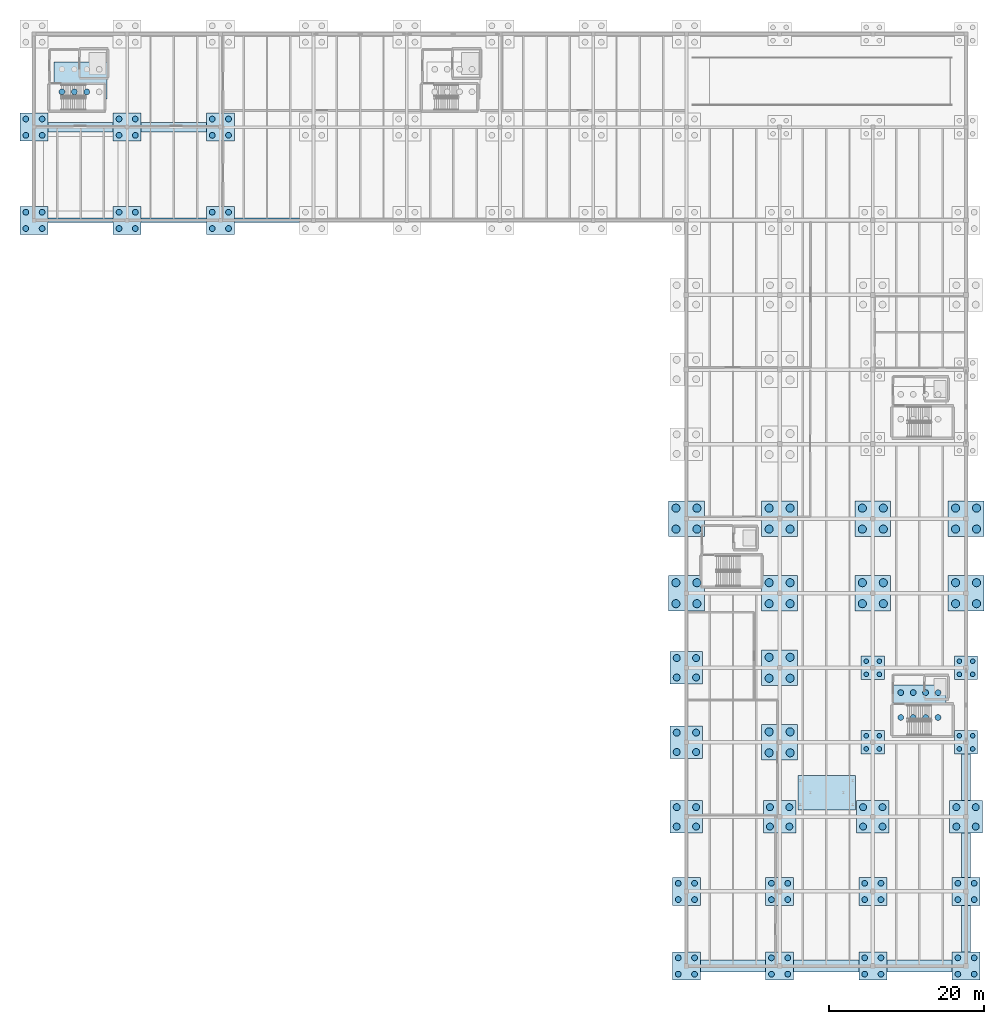
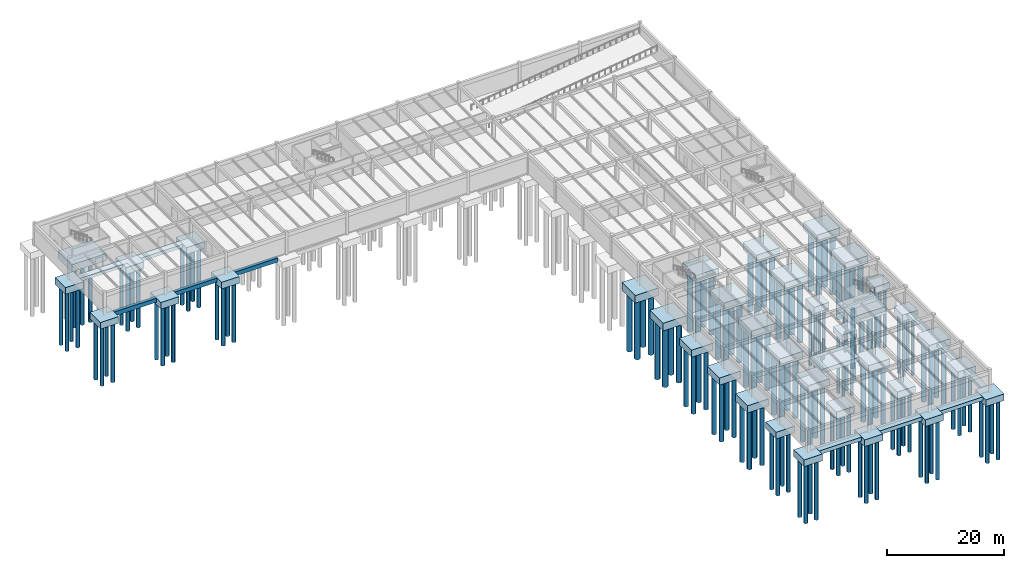
# One storey, part 1 of 20: 147 piles, 48 footings.
"""IFC4 building model written with IfcOpenShell, lengths in metres."""

from ifc_helpers import new_model, si_unit, direction, frame, origin, origin_2d, place, context, subcontext, project, spatial, rectangle, circle, extrude, material, material_profile, profile_set, type_object, element, save


model = new_model("IFC4")

# Units and contexts
model_context = context("Model", 3, precision=1e-05, world=origin(), true_north=direction((0.0, 1.0)))
body_context = subcontext(model_context, "Body", "Model", "MODEL_VIEW")
ifc_project = project(units=[si_unit("LENGTHUNIT", "METRE"), si_unit("AREAUNIT", "SQUARE_METRE"), si_unit("VOLUMEUNIT", "CUBIC_METRE"), si_unit("PLANEANGLEUNIT", "RADIAN"), si_unit("MASSUNIT", "GRAM", prefix="KILO")], contexts=[model_context])

# Site, building, storey
site_placement = place(None, origin())
site = spatial("IfcSite", under=ifc_project, at=site_placement, CompositionType="ELEMENT")
building_placement = place(site_placement, origin())
building = spatial("IfcBuilding", under=site, at=building_placement, Name="Pandanus Reach Market Hall", CompositionType="ELEMENT")
storey_placement = place(building_placement, frame((0.0, 0.0, -4.5)))
storey = spatial("IfcBuildingStorey", under=building, at=storey_placement, Name="B1", CompositionType="ELEMENT", Elevation=-4.5)

# Footings
ifc_material = material(Name="Concrete N40 (40 MPa)", Category="concrete")
footing_type_1 = type_object("IfcFootingType", Name="FB-02", PredefinedType="FOOTING_BEAM", material=ifc_material)
for number, where, z_axis, x_axis, name in (
    (1, (66.0, 96.0, -1.199951171875), (0.0, 0.0, 1.0), (1.0, 0.0, 0.0), "Ground tie beam FB-02 1"),
    (2, (78.0, 96.0, -1.199951171875), (0.0, 0.0, 1.0), (1.0, 0.0, 0.0), "Ground tie beam FB-02 2"),
    (3, (90.0, 96.0, -1.199951171875), (0.0, 0.0, 1.0), (1.0, 0.0, 0.0), "Ground tie beam FB-02 3"),
):
    element("IfcFooting", number, at=place(storey_placement, frame(where, z_axis=z_axis, x_axis=x_axis)), inside=storey, type_object=footing_type_1, Name=name, PredefinedType="FOOTING_BEAM", context=body_context, shape_type="SweptSolid", body=[
        extrude(rectangle(XDim=8.39990234375, YDim=0.60009765625, at=origin_2d()), origin(), (0.0, 0.0, 1.0), 0.85009765625),
    ])
footing_type_2 = type_object("IfcFootingType", Name="PC-01", PredefinedType="PILE_CAP", material=ifc_material)
for number, where, z_axis, x_axis, name in (
    (4, (168.0, 28.800048828125, -1.64990234375), (0.0, 0.0, 1.0), (1.0, 0.0, 0.0), "Pile cap PC-01 at V4-168-288"),
    (5, (168.0, 38.39990234375, -1.64990234375), (0.0, 0.0, 1.0), (1.0, 0.0, 0.0), "Pile cap PC-01 at V4-168-384"),
    (6, (180.0, 28.800048828125, -1.64990234375), (0.0, 0.0, 1.0), (1.0, 0.0, 0.0), "Pile cap PC-01 at V4-180-288"),
    (7, (180.0, 38.39990234375, -1.64990234375), (0.0, 0.0, 1.0), (1.0, 0.0, 0.0), "Pile cap PC-01 at V4-180-384"),
):
    element("IfcFooting", number, at=place(storey_placement, frame(where, z_axis=z_axis, x_axis=x_axis)), inside=storey, type_object=footing_type_2, Name=name, PredefinedType="PILE_CAP", context=body_context, shape_type="SweptSolid", body=[
        extrude(rectangle(XDim=3.0, YDim=3.0, at=origin_2d()), origin(), (0.0, 0.0, 1.0), 1.300048828125),
    ])
footing_type_3 = type_object("IfcFootingType", Name="PC-02", PredefinedType="PILE_CAP", material=ifc_material)
for number, where, z_axis, x_axis, name in (
    (8, (144.0, 0.0, -1.75), (0.0, 0.0, 1.0), (1.0, 0.0, 0.0), "Pile cap PC-02 at V4-144-0"),
    (9, (144.0, 9.60009765625, -1.75), (0.0, 0.0, 1.0), (1.0, 0.0, 0.0), "Pile cap PC-02 at V4-144-96"),
    (10, (156.0, 0.0, -1.75), (0.0, 0.0, 1.0), (1.0, 0.0, 0.0), "Pile cap PC-02 at V4-156-0"),
    (11, (156.0, 9.60009765625, -1.75), (0.0, 0.0, 1.0), (1.0, 0.0, 0.0), "Pile cap PC-02 at V4-156-96"),
    (12, (168.0, 0.0, -1.75), (0.0, 0.0, 1.0), (1.0, 0.0, 0.0), "Pile cap PC-02 at V4-168-0"),
    (13, (168.0, 9.60009765625, -1.75), (0.0, 0.0, 1.0), (1.0, 0.0, 0.0), "Pile cap PC-02 at V4-168-96"),
    (14, (180.0, 0.0, -1.75), (0.0, 0.0, 1.0), (1.0, 0.0, 0.0), "Pile cap PC-02 at V4-180-0"),
    (15, (180.0, 9.60009765625, -1.75), (0.0, 0.0, 1.0), (1.0, 0.0, 0.0), "Pile cap PC-02 at V4-180-96"),
    (16, (60.0, 96.0, -1.75), (0.0, 0.0, 1.0), (1.0, 0.0, 0.0), "Pile cap PC-02 at V5-60-960"),
    (17, (60.0, 108.0, -1.75), (0.0, 0.0, 1.0), (1.0, 0.0, 0.0), "Pile cap PC-02 at V5-60-1080"),
    (18, (72.0, 96.0, -1.75), (0.0, 0.0, 1.0), (1.0, 0.0, 0.0), "Pile cap PC-02 at V5-72-960"),
    (19, (72.0, 108.0, -1.75), (0.0, 0.0, 1.0), (1.0, 0.0, 0.0), "Pile cap PC-02 at V5-72-1080"),
    (20, (84.0, 96.0, -1.75), (0.0, 0.0, 1.0), (1.0, 0.0, 0.0), "Pile cap PC-02 at V5-84-960"),
    (21, (84.0, 108.0, -1.75), (0.0, 0.0, 1.0), (1.0, 0.0, 0.0), "Pile cap PC-02 at V5-84-1080"),
):
    element("IfcFooting", number, at=place(storey_placement, frame(where, z_axis=z_axis, x_axis=x_axis)), inside=storey, type_object=footing_type_3, Name=name, PredefinedType="PILE_CAP", context=body_context, shape_type="SweptSolid", body=[
        extrude(rectangle(XDim=3.60009765625, YDim=3.60009765625, at=origin_2d()), origin(), (0.0, 0.0, 1.0), 1.39990234375),
    ])
footing_type_4 = type_object("IfcFootingType", Name="PC-03", PredefinedType="PILE_CAP", material=ifc_material)
for number, where, z_axis, x_axis, name in (
    (22, (144.0, 19.199951171875, -1.85009765625), (0.0, 0.0, 1.0), (1.0, 0.0, 0.0), "Pile cap PC-03 at V4-144-192"),
    (23, (144.0, 28.800048828125, -1.85009765625), (0.0, 0.0, 1.0), (1.0, 0.0, 0.0), "Pile cap PC-03 at V4-144-288"),
    (24, (144.0, 38.39990234375, -1.85009765625), (0.0, 0.0, 1.0), (1.0, 0.0, 0.0), "Pile cap PC-03 at V4-144-384"),
    (25, (156.0, 19.199951171875, -1.85009765625), (0.0, 0.0, 1.0), (1.0, 0.0, 0.0), "Pile cap PC-03 at V4-156-192"),
    (26, (168.0, 19.199951171875, -1.85009765625), (0.0, 0.0, 1.0), (1.0, 0.0, 0.0), "Pile cap PC-03 at V4-168-192"),
    (27, (180.0, 19.199951171875, -1.85009765625), (0.0, 0.0, 1.0), (1.0, 0.0, 0.0), "Pile cap PC-03 at V4-180-192"),
):
    element("IfcFooting", number, at=place(storey_placement, frame(where, z_axis=z_axis, x_axis=x_axis)), inside=storey, type_object=footing_type_4, Name=name, PredefinedType="PILE_CAP", context=body_context, shape_type="SweptSolid", body=[
        extrude(rectangle(XDim=4.199951171875, YDim=4.199951171875, at=origin_2d()), origin(), (0.0, 0.0, 1.0), 1.5),
    ])
footing_type_5 = type_object("IfcFootingType", Name="PC-04", PredefinedType="PILE_CAP", material=ifc_material)
for number, where, z_axis, x_axis, name in (
    (28, (144.0, 48.0, -1.949951171875), (0.0, 0.0, 1.0), (1.0, 0.0, 0.0), "Pile cap PC-04 at V4-144-480"),
    (29, (144.0, 57.60009765625, -1.949951171875), (0.0, 0.0, 1.0), (1.0, 0.0, 0.0), "Pile cap PC-04 at V4-144-576"),
    (30, (156.0, 28.800048828125, -1.949951171875), (0.0, 0.0, 1.0), (1.0, 0.0, 0.0), "Pile cap PC-04 at V4-156-288"),
    (31, (156.0, 38.39990234375, -1.949951171875), (0.0, 0.0, 1.0), (1.0, 0.0, 0.0), "Pile cap PC-04 at V4-156-384"),
    (32, (156.0, 48.0, -1.949951171875), (0.0, 0.0, 1.0), (1.0, 0.0, 0.0), "Pile cap PC-04 at V4-156-480"),
    (33, (156.0, 57.60009765625, -1.949951171875), (0.0, 0.0, 1.0), (1.0, 0.0, 0.0), "Pile cap PC-04 at V4-156-576"),
    (34, (168.0, 48.0, -1.949951171875), (0.0, 0.0, 1.0), (1.0, 0.0, 0.0), "Pile cap PC-04 at V4-168-480"),
    (35, (168.0, 57.60009765625, -1.949951171875), (0.0, 0.0, 1.0), (1.0, 0.0, 0.0), "Pile cap PC-04 at V4-168-576"),
    (36, (180.0, 48.0, -1.949951171875), (0.0, 0.0, 1.0), (1.0, 0.0, 0.0), "Pile cap PC-04 at V4-180-480"),
    (37, (180.0, 57.60009765625, -1.949951171875), (0.0, 0.0, 1.0), (1.0, 0.0, 0.0), "Pile cap PC-04 at V4-180-576"),
):
    element("IfcFooting", number, at=place(storey_placement, frame(where, z_axis=z_axis, x_axis=x_axis)), inside=storey, type_object=footing_type_5, Name=name, PredefinedType="PILE_CAP", context=body_context, shape_type="SweptSolid", body=[
        extrude(rectangle(XDim=4.60009765625, YDim=4.60009765625, at=origin_2d()), origin(), (0.0, 0.0, 1.0), 1.60009765625),
    ])
footing_type_6 = type_object("IfcFootingType", Name="PC-05", PredefinedType="PILE_CAP", material=ifc_material)
footing_1_placement = place(storey_placement, frame((174.0, 33.60009765625, -1.949951171875), z_axis=(0.0, 0.0, 1.0), x_axis=(1.0, 0.0, 0.0)))
element("IfcFooting", 38, at=footing_1_placement, inside=storey, type_object=footing_type_6, Name="Core pile cap PC-05 C1", PredefinedType="PILE_CAP", context=body_context, shape_type="SweptSolid", body=[
    extrude(rectangle(XDim=6.800048828125, YDim=5.199951171875, at=origin_2d()), origin(), (0.0, 0.0, 1.0), 1.60009765625),
])
footing_type_7 = type_object("IfcFootingType", Name="PC-06", PredefinedType="PILE_CAP", material=ifc_material)
footing_2_placement = place(storey_placement, frame((66.0, 114.0, -1.85009765625), z_axis=(0.0, 0.0, 1.0), x_axis=(1.0, 0.0, 0.0)))
element("IfcFooting", 39, at=footing_2_placement, inside=storey, type_object=footing_type_7, Name="Core pile cap PC-06 C3", PredefinedType="PILE_CAP", context=body_context, shape_type="SweptSolid", body=[
    extrude(rectangle(XDim=6.800048828125, YDim=4.800048828125, at=origin_2d()), origin(), (0.0, 0.0, 1.0), 1.5),
])
footing_type_8 = type_object("IfcFootingType", Name="PD-05", PredefinedType="PAD_FOOTING", material=ifc_material)
footing_3_placement = place(storey_placement, frame((162.06005859375, 22.31005859375, -1.199951171875), z_axis=(0.0, 0.0, 1.0), x_axis=(1.0, 0.0, 0.0)))
element("IfcFooting", 40, at=footing_3_placement, inside=storey, type_object=footing_type_8, Name="Feature stair combined pad footing ST-11", PredefinedType="PAD_FOOTING", context=body_context, shape_type="SweptSolid", body=[
    extrude(rectangle(XDim=7.3701171875, YDim=4.39990234375, at=origin_2d()), origin(), (0.0, 0.0, 1.0), 0.85009765625),
])

# Piles
ifc_material_profile_1 = material_profile(ifc_material, circle(Radius=0.52490234375, at=origin_2d()), Name="PILE-1050D", Category="LoadBearing")
ifc_profile_set_1 = profile_set([ifc_material_profile_1], Name="Concrete N40 (40 MPa)")
pile_type_1 = type_object("IfcPileType", Name="PL-1050", PredefinedType="BORED", material=ifc_profile_set_1)
for number, where, z_axis, x_axis, name in (
    (41, (142.64990234375, 46.64990234375, -1.85009765625), (0.0, 0.0, -1.0), (1.0, 0.0, 0.0), "Bored pile PL-1050 V4-144-480.1"),
    (42, (142.64990234375, 49.35009765625, -1.85009765625), (0.0, 0.0, -1.0), (1.0, 0.0, 0.0), "Bored pile PL-1050 V4-144-480.2"),
    (43, (145.35009765625, 46.64990234375, -1.85009765625), (0.0, 0.0, -1.0), (1.0, 0.0, 0.0), "Bored pile PL-1050 V4-144-480.3"),
    (44, (145.35009765625, 49.35009765625, -1.85009765625), (0.0, 0.0, -1.0), (1.0, 0.0, 0.0), "Bored pile PL-1050 V4-144-480.4"),
    (45, (142.64990234375, 56.25, -1.85009765625), (0.0, 0.0, -1.0), (1.0, 0.0, 0.0), "Bored pile PL-1050 V4-144-576.1"),
    (46, (142.64990234375, 58.949951171875, -1.85009765625), (0.0, 0.0, -1.0), (1.0, 0.0, 0.0), "Bored pile PL-1050 V4-144-576.2"),
    (47, (145.35009765625, 56.25, -1.85009765625), (0.0, 0.0, -1.0), (1.0, 0.0, 0.0), "Bored pile PL-1050 V4-144-576.3"),
    (48, (145.35009765625, 58.949951171875, -1.85009765625), (0.0, 0.0, -1.0), (1.0, 0.0, 0.0), "Bored pile PL-1050 V4-144-576.4"),
    (49, (154.64990234375, 27.449951171875, -1.85009765625), (0.0, 0.0, -1.0), (1.0, 0.0, 0.0), "Bored pile PL-1050 V4-156-288.1"),
    (50, (154.64990234375, 30.14990234375, -1.85009765625), (0.0, 0.0, -1.0), (1.0, 0.0, 0.0), "Bored pile PL-1050 V4-156-288.2"),
    (51, (157.35009765625, 27.449951171875, -1.85009765625), (0.0, 0.0, -1.0), (1.0, 0.0, 0.0), "Bored pile PL-1050 V4-156-288.3"),
    (52, (157.35009765625, 30.14990234375, -1.85009765625), (0.0, 0.0, -1.0), (1.0, 0.0, 0.0), "Bored pile PL-1050 V4-156-288.4"),
    (53, (154.64990234375, 37.050048828125, -1.85009765625), (0.0, 0.0, -1.0), (1.0, 0.0, 0.0), "Bored pile PL-1050 V4-156-384.1"),
    (54, (154.64990234375, 39.75, -1.85009765625), (0.0, 0.0, -1.0), (1.0, 0.0, 0.0), "Bored pile PL-1050 V4-156-384.2"),
    (55, (157.35009765625, 37.050048828125, -1.85009765625), (0.0, 0.0, -1.0), (1.0, 0.0, 0.0), "Bored pile PL-1050 V4-156-384.3"),
    (56, (157.35009765625, 39.75, -1.85009765625), (0.0, 0.0, -1.0), (1.0, 0.0, 0.0), "Bored pile PL-1050 V4-156-384.4"),
    (57, (154.64990234375, 46.64990234375, -1.85009765625), (0.0, 0.0, -1.0), (1.0, 0.0, 0.0), "Bored pile PL-1050 V4-156-480.1"),
    (58, (154.64990234375, 49.35009765625, -1.85009765625), (0.0, 0.0, -1.0), (1.0, 0.0, 0.0), "Bored pile PL-1050 V4-156-480.2"),
    (59, (157.35009765625, 46.64990234375, -1.85009765625), (0.0, 0.0, -1.0), (1.0, 0.0, 0.0), "Bored pile PL-1050 V4-156-480.3"),
    (60, (157.35009765625, 49.35009765625, -1.85009765625), (0.0, 0.0, -1.0), (1.0, 0.0, 0.0), "Bored pile PL-1050 V4-156-480.4"),
    (61, (154.64990234375, 56.25, -1.85009765625), (0.0, 0.0, -1.0), (1.0, 0.0, 0.0), "Bored pile PL-1050 V4-156-576.1"),
    (62, (154.64990234375, 58.949951171875, -1.85009765625), (0.0, 0.0, -1.0), (1.0, 0.0, 0.0), "Bored pile PL-1050 V4-156-576.2"),
    (63, (157.35009765625, 56.25, -1.85009765625), (0.0, 0.0, -1.0), (1.0, 0.0, 0.0), "Bored pile PL-1050 V4-156-576.3"),
    (64, (157.35009765625, 58.949951171875, -1.85009765625), (0.0, 0.0, -1.0), (1.0, 0.0, 0.0), "Bored pile PL-1050 V4-156-576.4"),
    (65, (166.64990234375, 46.64990234375, -1.85009765625), (0.0, 0.0, -1.0), (1.0, 0.0, 0.0), "Bored pile PL-1050 V4-168-480.1"),
    (66, (166.64990234375, 49.35009765625, -1.85009765625), (0.0, 0.0, -1.0), (1.0, 0.0, 0.0), "Bored pile PL-1050 V4-168-480.2"),
    (67, (169.35009765625, 46.64990234375, -1.85009765625), (0.0, 0.0, -1.0), (1.0, 0.0, 0.0), "Bored pile PL-1050 V4-168-480.3"),
    (68, (169.35009765625, 49.35009765625, -1.85009765625), (0.0, 0.0, -1.0), (1.0, 0.0, 0.0), "Bored pile PL-1050 V4-168-480.4"),
    (69, (166.64990234375, 56.25, -1.85009765625), (0.0, 0.0, -1.0), (1.0, 0.0, 0.0), "Bored pile PL-1050 V4-168-576.1"),
    (70, (166.64990234375, 58.949951171875, -1.85009765625), (0.0, 0.0, -1.0), (1.0, 0.0, 0.0), "Bored pile PL-1050 V4-168-576.2"),
    (71, (169.35009765625, 56.25, -1.85009765625), (0.0, 0.0, -1.0), (1.0, 0.0, 0.0), "Bored pile PL-1050 V4-168-576.3"),
    (72, (169.35009765625, 58.949951171875, -1.85009765625), (0.0, 0.0, -1.0), (1.0, 0.0, 0.0), "Bored pile PL-1050 V4-168-576.4"),
    (73, (178.64990234375, 46.64990234375, -1.85009765625), (0.0, 0.0, -1.0), (1.0, 0.0, 0.0), "Bored pile PL-1050 V4-180-480.1"),
    (74, (178.64990234375, 49.35009765625, -1.85009765625), (0.0, 0.0, -1.0), (1.0, 0.0, 0.0), "Bored pile PL-1050 V4-180-480.2"),
    (75, (181.35009765625, 46.64990234375, -1.85009765625), (0.0, 0.0, -1.0), (1.0, 0.0, 0.0), "Bored pile PL-1050 V4-180-480.3"),
    (76, (181.35009765625, 49.35009765625, -1.85009765625), (0.0, 0.0, -1.0), (1.0, 0.0, 0.0), "Bored pile PL-1050 V4-180-480.4"),
    (77, (178.64990234375, 56.25, -1.85009765625), (0.0, 0.0, -1.0), (1.0, 0.0, 0.0), "Bored pile PL-1050 V4-180-576.1"),
    (78, (178.64990234375, 58.949951171875, -1.85009765625), (0.0, 0.0, -1.0), (1.0, 0.0, 0.0), "Bored pile PL-1050 V4-180-576.2"),
    (79, (181.35009765625, 56.25, -1.85009765625), (0.0, 0.0, -1.0), (1.0, 0.0, 0.0), "Bored pile PL-1050 V4-180-576.3"),
    (80, (181.35009765625, 58.949951171875, -1.85009765625), (0.0, 0.0, -1.0), (1.0, 0.0, 0.0), "Bored pile PL-1050 V4-180-576.4"),
):
    element("IfcPile", number, at=place(storey_placement, frame(where, z_axis=z_axis, x_axis=x_axis)), inside=storey, type_object=pile_type_1, Name=name, PredefinedType="BORED", context=body_context, shape_type="SweptSolid", body=[
        extrude(circle(Radius=0.52490234375, at=origin_2d()), origin(), (0.0, 0.0, 1.0), 12.5),
    ])
ifc_material_profile_2 = material_profile(ifc_material, circle(Radius=0.300048828125, at=origin_2d()), Name="PILE-600D", Category="LoadBearing")
ifc_profile_set_2 = profile_set([ifc_material_profile_2], Name="Concrete N40 (40 MPa)")
pile_type_2 = type_object("IfcPileType", Name="PL-600", PredefinedType="BORED", material=ifc_profile_set_2)
for number, where, z_axis, x_axis, name in (
    (81, (167.14990234375, 27.949951171875, -1.550048828125), (0.0, 0.0, -1.0), (1.0, 0.0, 0.0), "Bored pile PL-600 V4-168-288.1"),
    (82, (167.14990234375, 29.64990234375, -1.550048828125), (0.0, 0.0, -1.0), (1.0, 0.0, 0.0), "Bored pile PL-600 V4-168-288.2"),
    (83, (168.85009765625, 27.949951171875, -1.550048828125), (0.0, 0.0, -1.0), (1.0, 0.0, 0.0), "Bored pile PL-600 V4-168-288.3"),
    (84, (168.85009765625, 29.64990234375, -1.550048828125), (0.0, 0.0, -1.0), (1.0, 0.0, 0.0), "Bored pile PL-600 V4-168-288.4"),
    (85, (167.14990234375, 37.550048828125, -1.550048828125), (0.0, 0.0, -1.0), (1.0, 0.0, 0.0), "Bored pile PL-600 V4-168-384.1"),
    (86, (167.14990234375, 39.25, -1.550048828125), (0.0, 0.0, -1.0), (1.0, 0.0, 0.0), "Bored pile PL-600 V4-168-384.2"),
    (87, (168.85009765625, 37.550048828125, -1.550048828125), (0.0, 0.0, -1.0), (1.0, 0.0, 0.0), "Bored pile PL-600 V4-168-384.3"),
    (88, (168.85009765625, 39.25, -1.550048828125), (0.0, 0.0, -1.0), (1.0, 0.0, 0.0), "Bored pile PL-600 V4-168-384.4"),
    (89, (179.14990234375, 27.949951171875, -1.550048828125), (0.0, 0.0, -1.0), (1.0, 0.0, 0.0), "Bored pile PL-600 V4-180-288.1"),
    (90, (179.14990234375, 29.64990234375, -1.550048828125), (0.0, 0.0, -1.0), (1.0, 0.0, 0.0), "Bored pile PL-600 V4-180-288.2"),
    (91, (180.85009765625, 27.949951171875, -1.550048828125), (0.0, 0.0, -1.0), (1.0, 0.0, 0.0), "Bored pile PL-600 V4-180-288.3"),
    (92, (180.85009765625, 29.64990234375, -1.550048828125), (0.0, 0.0, -1.0), (1.0, 0.0, 0.0), "Bored pile PL-600 V4-180-288.4"),
    (93, (179.14990234375, 37.550048828125, -1.550048828125), (0.0, 0.0, -1.0), (1.0, 0.0, 0.0), "Bored pile PL-600 V4-180-384.1"),
    (94, (179.14990234375, 39.25, -1.550048828125), (0.0, 0.0, -1.0), (1.0, 0.0, 0.0), "Bored pile PL-600 V4-180-384.2"),
    (95, (180.85009765625, 37.550048828125, -1.550048828125), (0.0, 0.0, -1.0), (1.0, 0.0, 0.0), "Bored pile PL-600 V4-180-384.3"),
    (96, (180.85009765625, 39.25, -1.550048828125), (0.0, 0.0, -1.0), (1.0, 0.0, 0.0), "Bored pile PL-600 V4-180-384.4"),
):
    element("IfcPile", number, at=place(storey_placement, frame(where, z_axis=z_axis, x_axis=x_axis)), inside=storey, type_object=pile_type_2, Name=name, PredefinedType="BORED", context=body_context, shape_type="SweptSolid", body=[
        extrude(circle(Radius=0.300048828125, at=origin_2d()), origin(), (0.0, 0.0, 1.0), 12.5),
    ])
ifc_material_profile_3 = material_profile(ifc_material, circle(Radius=0.375, at=origin_2d()), Name="PILE-750D", Category="LoadBearing")
ifc_profile_set_3 = profile_set([ifc_material_profile_3], Name="Concrete N40 (40 MPa)")
pile_type_3 = type_object("IfcPileType", Name="PL-750", PredefinedType="BORED", material=ifc_profile_set_3)
for number, where, z_axis, x_axis, name in (
    (97, (142.949951171875, -1.050048828125, -1.64990234375), (0.0, 0.0, -1.0), (1.0, 0.0, 0.0), "Bored pile PL-750 V4-144-0.1"),
    (98, (142.949951171875, 1.050048828125, -1.64990234375), (0.0, 0.0, -1.0), (1.0, 0.0, 0.0), "Bored pile PL-750 V4-144-0.2"),
    (99, (145.050048828125, -1.050048828125, -1.64990234375), (0.0, 0.0, -1.0), (1.0, 0.0, 0.0), "Bored pile PL-750 V4-144-0.3"),
    (100, (145.050048828125, 1.050048828125, -1.64990234375), (0.0, 0.0, -1.0), (1.0, 0.0, 0.0), "Bored pile PL-750 V4-144-0.4"),
    (101, (142.949951171875, 8.550048828125, -1.64990234375), (0.0, 0.0, -1.0), (1.0, 0.0, 0.0), "Bored pile PL-750 V4-144-96.1"),
    (102, (142.949951171875, 10.64990234375, -1.64990234375), (0.0, 0.0, -1.0), (1.0, 0.0, 0.0), "Bored pile PL-750 V4-144-96.2"),
    (103, (145.050048828125, 8.550048828125, -1.64990234375), (0.0, 0.0, -1.0), (1.0, 0.0, 0.0), "Bored pile PL-750 V4-144-96.3"),
    (104, (145.050048828125, 10.64990234375, -1.64990234375), (0.0, 0.0, -1.0), (1.0, 0.0, 0.0), "Bored pile PL-750 V4-144-96.4"),
    (105, (154.949951171875, -1.050048828125, -1.64990234375), (0.0, 0.0, -1.0), (1.0, 0.0, 0.0), "Bored pile PL-750 V4-156-0.1"),
    (106, (154.949951171875, 1.050048828125, -1.64990234375), (0.0, 0.0, -1.0), (1.0, 0.0, 0.0), "Bored pile PL-750 V4-156-0.2"),
    (107, (157.050048828125, -1.050048828125, -1.64990234375), (0.0, 0.0, -1.0), (1.0, 0.0, 0.0), "Bored pile PL-750 V4-156-0.3"),
    (108, (157.050048828125, 1.050048828125, -1.64990234375), (0.0, 0.0, -1.0), (1.0, 0.0, 0.0), "Bored pile PL-750 V4-156-0.4"),
    (109, (154.949951171875, 8.550048828125, -1.64990234375), (0.0, 0.0, -1.0), (1.0, 0.0, 0.0), "Bored pile PL-750 V4-156-96.1"),
    (110, (154.949951171875, 10.64990234375, -1.64990234375), (0.0, 0.0, -1.0), (1.0, 0.0, 0.0), "Bored pile PL-750 V4-156-96.2"),
    (111, (157.050048828125, 8.550048828125, -1.64990234375), (0.0, 0.0, -1.0), (1.0, 0.0, 0.0), "Bored pile PL-750 V4-156-96.3"),
    (112, (157.050048828125, 10.64990234375, -1.64990234375), (0.0, 0.0, -1.0), (1.0, 0.0, 0.0), "Bored pile PL-750 V4-156-96.4"),
    (113, (166.949951171875, -1.050048828125, -1.64990234375), (0.0, 0.0, -1.0), (1.0, 0.0, 0.0), "Bored pile PL-750 V4-168-0.1"),
    (114, (166.949951171875, 1.050048828125, -1.64990234375), (0.0, 0.0, -1.0), (1.0, 0.0, 0.0), "Bored pile PL-750 V4-168-0.2"),
    (115, (169.050048828125, -1.050048828125, -1.64990234375), (0.0, 0.0, -1.0), (1.0, 0.0, 0.0), "Bored pile PL-750 V4-168-0.3"),
    (116, (169.050048828125, 1.050048828125, -1.64990234375), (0.0, 0.0, -1.0), (1.0, 0.0, 0.0), "Bored pile PL-750 V4-168-0.4"),
    (117, (166.949951171875, 8.550048828125, -1.64990234375), (0.0, 0.0, -1.0), (1.0, 0.0, 0.0), "Bored pile PL-750 V4-168-96.1"),
    (118, (166.949951171875, 10.64990234375, -1.64990234375), (0.0, 0.0, -1.0), (1.0, 0.0, 0.0), "Bored pile PL-750 V4-168-96.2"),
    (119, (169.050048828125, 8.550048828125, -1.64990234375), (0.0, 0.0, -1.0), (1.0, 0.0, 0.0), "Bored pile PL-750 V4-168-96.3"),
    (120, (169.050048828125, 10.64990234375, -1.64990234375), (0.0, 0.0, -1.0), (1.0, 0.0, 0.0), "Bored pile PL-750 V4-168-96.4"),
    (121, (178.949951171875, -1.050048828125, -1.64990234375), (0.0, 0.0, -1.0), (1.0, 0.0, 0.0), "Bored pile PL-750 V4-180-0.1"),
    (122, (178.949951171875, 1.050048828125, -1.64990234375), (0.0, 0.0, -1.0), (1.0, 0.0, 0.0), "Bored pile PL-750 V4-180-0.2"),
    (123, (181.050048828125, -1.050048828125, -1.64990234375), (0.0, 0.0, -1.0), (1.0, 0.0, 0.0), "Bored pile PL-750 V4-180-0.3"),
    (124, (181.050048828125, 1.050048828125, -1.64990234375), (0.0, 0.0, -1.0), (1.0, 0.0, 0.0), "Bored pile PL-750 V4-180-0.4"),
    (125, (178.949951171875, 8.550048828125, -1.64990234375), (0.0, 0.0, -1.0), (1.0, 0.0, 0.0), "Bored pile PL-750 V4-180-96.1"),
    (126, (178.949951171875, 10.64990234375, -1.64990234375), (0.0, 0.0, -1.0), (1.0, 0.0, 0.0), "Bored pile PL-750 V4-180-96.2"),
    (127, (181.050048828125, 8.550048828125, -1.64990234375), (0.0, 0.0, -1.0), (1.0, 0.0, 0.0), "Bored pile PL-750 V4-180-96.3"),
    (128, (181.050048828125, 10.64990234375, -1.64990234375), (0.0, 0.0, -1.0), (1.0, 0.0, 0.0), "Bored pile PL-750 V4-180-96.4"),
    (129, (58.949951171875, 94.949951171875, -1.64990234375), (0.0, 0.0, -1.0), (1.0, 0.0, 0.0), "Bored pile PL-750 V5-60-960.1"),
    (130, (58.949951171875, 97.050048828125, -1.64990234375), (0.0, 0.0, -1.0), (1.0, 0.0, 0.0), "Bored pile PL-750 V5-60-960.2"),
    (131, (61.050048828125, 94.949951171875, -1.64990234375), (0.0, 0.0, -1.0), (1.0, 0.0, 0.0), "Bored pile PL-750 V5-60-960.3"),
    (132, (61.050048828125, 97.050048828125, -1.64990234375), (0.0, 0.0, -1.0), (1.0, 0.0, 0.0), "Bored pile PL-750 V5-60-960.4"),
    (133, (58.949951171875, 106.949951171875, -1.64990234375), (0.0, 0.0, -1.0), (1.0, 0.0, 0.0), "Bored pile PL-750 V5-60-1080.1"),
    (134, (58.949951171875, 109.050048828125, -1.64990234375), (0.0, 0.0, -1.0), (1.0, 0.0, 0.0), "Bored pile PL-750 V5-60-1080.2"),
    (135, (61.050048828125, 106.949951171875, -1.64990234375), (0.0, 0.0, -1.0), (1.0, 0.0, 0.0), "Bored pile PL-750 V5-60-1080.3"),
    (136, (61.050048828125, 109.050048828125, -1.64990234375), (0.0, 0.0, -1.0), (1.0, 0.0, 0.0), "Bored pile PL-750 V5-60-1080.4"),
    (137, (70.949951171875, 94.949951171875, -1.64990234375), (0.0, 0.0, -1.0), (1.0, 0.0, 0.0), "Bored pile PL-750 V5-72-960.1"),
    (138, (70.949951171875, 97.050048828125, -1.64990234375), (0.0, 0.0, -1.0), (1.0, 0.0, 0.0), "Bored pile PL-750 V5-72-960.2"),
    (139, (73.050048828125, 94.949951171875, -1.64990234375), (0.0, 0.0, -1.0), (1.0, 0.0, 0.0), "Bored pile PL-750 V5-72-960.3"),
    (140, (73.050048828125, 97.050048828125, -1.64990234375), (0.0, 0.0, -1.0), (1.0, 0.0, 0.0), "Bored pile PL-750 V5-72-960.4"),
    (141, (70.949951171875, 106.949951171875, -1.64990234375), (0.0, 0.0, -1.0), (1.0, 0.0, 0.0), "Bored pile PL-750 V5-72-1080.1"),
    (142, (70.949951171875, 109.050048828125, -1.64990234375), (0.0, 0.0, -1.0), (1.0, 0.0, 0.0), "Bored pile PL-750 V5-72-1080.2"),
    (143, (73.050048828125, 106.949951171875, -1.64990234375), (0.0, 0.0, -1.0), (1.0, 0.0, 0.0), "Bored pile PL-750 V5-72-1080.3"),
    (144, (73.050048828125, 109.050048828125, -1.64990234375), (0.0, 0.0, -1.0), (1.0, 0.0, 0.0), "Bored pile PL-750 V5-72-1080.4"),
    (145, (82.949951171875, 94.949951171875, -1.64990234375), (0.0, 0.0, -1.0), (1.0, 0.0, 0.0), "Bored pile PL-750 V5-84-960.1"),
    (146, (82.949951171875, 97.050048828125, -1.64990234375), (0.0, 0.0, -1.0), (1.0, 0.0, 0.0), "Bored pile PL-750 V5-84-960.2"),
    (147, (85.050048828125, 94.949951171875, -1.64990234375), (0.0, 0.0, -1.0), (1.0, 0.0, 0.0), "Bored pile PL-750 V5-84-960.3"),
    (148, (85.050048828125, 97.050048828125, -1.64990234375), (0.0, 0.0, -1.0), (1.0, 0.0, 0.0), "Bored pile PL-750 V5-84-960.4"),
    (149, (82.949951171875, 106.949951171875, -1.64990234375), (0.0, 0.0, -1.0), (1.0, 0.0, 0.0), "Bored pile PL-750 V5-84-1080.1"),
    (150, (82.949951171875, 109.050048828125, -1.64990234375), (0.0, 0.0, -1.0), (1.0, 0.0, 0.0), "Bored pile PL-750 V5-84-1080.2"),
    (151, (85.050048828125, 106.949951171875, -1.64990234375), (0.0, 0.0, -1.0), (1.0, 0.0, 0.0), "Bored pile PL-750 V5-84-1080.3"),
    (152, (85.050048828125, 109.050048828125, -1.64990234375), (0.0, 0.0, -1.0), (1.0, 0.0, 0.0), "Bored pile PL-750 V5-84-1080.4"),
    (153, (171.60009765625, 32.0, -1.85009765625), (0.0, 0.0, -1.0), (1.0, 0.0, 0.0), "Core bored pile PL-750 C1.1"),
    (154, (173.199951171875, 32.0, -1.85009765625), (0.0, 0.0, -1.0), (1.0, 0.0, 0.0), "Core bored pile PL-750 C1.2"),
    (155, (174.800048828125, 32.0, -1.85009765625), (0.0, 0.0, -1.0), (1.0, 0.0, 0.0), "Core bored pile PL-750 C1.3"),
    (156, (176.39990234375, 32.0, -1.85009765625), (0.0, 0.0, -1.0), (1.0, 0.0, 0.0), "Core bored pile PL-750 C1.4"),
    (157, (171.60009765625, 35.199951171875, -1.85009765625), (0.0, 0.0, -1.0), (1.0, 0.0, 0.0), "Core bored pile PL-750 C1.5"),
    (158, (173.199951171875, 35.199951171875, -1.85009765625), (0.0, 0.0, -1.0), (1.0, 0.0, 0.0), "Core bored pile PL-750 C1.6"),
    (159, (174.800048828125, 35.199951171875, -1.85009765625), (0.0, 0.0, -1.0), (1.0, 0.0, 0.0), "Core bored pile PL-750 C1.7"),
    (160, (176.39990234375, 35.199951171875, -1.85009765625), (0.0, 0.0, -1.0), (1.0, 0.0, 0.0), "Core bored pile PL-750 C1.8"),
    (161, (63.60009765625, 112.550048828125, -1.75), (0.0, 0.0, -1.0), (1.0, 0.0, 0.0), "Core bored pile PL-750 C3.1"),
    (162, (65.199951171875, 112.550048828125, -1.75), (0.0, 0.0, -1.0), (1.0, 0.0, 0.0), "Core bored pile PL-750 C3.2"),
    (163, (66.800048828125, 112.550048828125, -1.75), (0.0, 0.0, -1.0), (1.0, 0.0, 0.0), "Core bored pile PL-750 C3.3"),
):
    element("IfcPile", number, at=place(storey_placement, frame(where, z_axis=z_axis, x_axis=x_axis)), inside=storey, type_object=pile_type_3, Name=name, PredefinedType="BORED", context=body_context, shape_type="SweptSolid", body=[
        extrude(circle(Radius=0.375, at=origin_2d()), origin(), (0.0, 0.0, 1.0), 12.5),
    ])
ifc_material_profile_4 = material_profile(ifc_material, circle(Radius=0.449951171875, at=origin_2d()), Name="PILE-900D", Category="LoadBearing")
ifc_profile_set_4 = profile_set([ifc_material_profile_4], Name="Concrete N40 (40 MPa)")
pile_type_4 = type_object("IfcPileType", Name="PL-900", PredefinedType="BORED", material=ifc_profile_set_4)
for number, where, z_axis, x_axis, name in (
    (164, (142.75, 17.949951171875, -1.75), (0.0, 0.0, -1.0), (1.0, 0.0, 0.0), "Bored pile PL-900 V4-144-192.1"),
    (165, (142.75, 20.449951171875, -1.75), (0.0, 0.0, -1.0), (1.0, 0.0, 0.0), "Bored pile PL-900 V4-144-192.2"),
    (166, (145.25, 17.949951171875, -1.75), (0.0, 0.0, -1.0), (1.0, 0.0, 0.0), "Bored pile PL-900 V4-144-192.3"),
    (167, (145.25, 20.449951171875, -1.75), (0.0, 0.0, -1.0), (1.0, 0.0, 0.0), "Bored pile PL-900 V4-144-192.4"),
    (168, (142.75, 27.550048828125, -1.75), (0.0, 0.0, -1.0), (1.0, 0.0, 0.0), "Bored pile PL-900 V4-144-288.1"),
    (169, (142.75, 30.050048828125, -1.75), (0.0, 0.0, -1.0), (1.0, 0.0, 0.0), "Bored pile PL-900 V4-144-288.2"),
    (170, (145.25, 27.550048828125, -1.75), (0.0, 0.0, -1.0), (1.0, 0.0, 0.0), "Bored pile PL-900 V4-144-288.3"),
    (171, (145.25, 30.050048828125, -1.75), (0.0, 0.0, -1.0), (1.0, 0.0, 0.0), "Bored pile PL-900 V4-144-288.4"),
    (172, (142.75, 37.14990234375, -1.75), (0.0, 0.0, -1.0), (1.0, 0.0, 0.0), "Bored pile PL-900 V4-144-384.1"),
    (173, (142.75, 39.64990234375, -1.75), (0.0, 0.0, -1.0), (1.0, 0.0, 0.0), "Bored pile PL-900 V4-144-384.2"),
    (174, (145.25, 37.14990234375, -1.75), (0.0, 0.0, -1.0), (1.0, 0.0, 0.0), "Bored pile PL-900 V4-144-384.3"),
    (175, (145.25, 39.64990234375, -1.75), (0.0, 0.0, -1.0), (1.0, 0.0, 0.0), "Bored pile PL-900 V4-144-384.4"),
    (176, (154.75, 17.949951171875, -1.75), (0.0, 0.0, -1.0), (1.0, 0.0, 0.0), "Bored pile PL-900 V4-156-192.1"),
    (177, (154.75, 20.449951171875, -1.75), (0.0, 0.0, -1.0), (1.0, 0.0, 0.0), "Bored pile PL-900 V4-156-192.2"),
    (178, (157.25, 17.949951171875, -1.75), (0.0, 0.0, -1.0), (1.0, 0.0, 0.0), "Bored pile PL-900 V4-156-192.3"),
    (179, (157.25, 20.449951171875, -1.75), (0.0, 0.0, -1.0), (1.0, 0.0, 0.0), "Bored pile PL-900 V4-156-192.4"),
    (180, (166.75, 17.949951171875, -1.75), (0.0, 0.0, -1.0), (1.0, 0.0, 0.0), "Bored pile PL-900 V4-168-192.1"),
    (181, (166.75, 20.449951171875, -1.75), (0.0, 0.0, -1.0), (1.0, 0.0, 0.0), "Bored pile PL-900 V4-168-192.2"),
    (182, (169.25, 17.949951171875, -1.75), (0.0, 0.0, -1.0), (1.0, 0.0, 0.0), "Bored pile PL-900 V4-168-192.3"),
    (183, (169.25, 20.449951171875, -1.75), (0.0, 0.0, -1.0), (1.0, 0.0, 0.0), "Bored pile PL-900 V4-168-192.4"),
    (184, (178.75, 17.949951171875, -1.75), (0.0, 0.0, -1.0), (1.0, 0.0, 0.0), "Bored pile PL-900 V4-180-192.1"),
    (185, (178.75, 20.449951171875, -1.75), (0.0, 0.0, -1.0), (1.0, 0.0, 0.0), "Bored pile PL-900 V4-180-192.2"),
    (186, (181.25, 17.949951171875, -1.75), (0.0, 0.0, -1.0), (1.0, 0.0, 0.0), "Bored pile PL-900 V4-180-192.3"),
    (187, (181.25, 20.449951171875, -1.75), (0.0, 0.0, -1.0), (1.0, 0.0, 0.0), "Bored pile PL-900 V4-180-192.4"),
):
    element("IfcPile", number, at=place(storey_placement, frame(where, z_axis=z_axis, x_axis=x_axis)), inside=storey, type_object=pile_type_4, Name=name, PredefinedType="BORED", context=body_context, shape_type="SweptSolid", body=[
        extrude(circle(Radius=0.449951171875, at=origin_2d()), origin(), (0.0, 0.0, 1.0), 12.5),
    ])

# Footings
footing_type_9 = type_object("IfcFootingType", Name="SF-01", PredefinedType="STRIP_FOOTING", material=ifc_material)
for number, where, z_axis, x_axis, name in (
    (188, (66.0, 108.0, -1.0498046875), (0.0, 0.0, 1.0), (1.0, 0.0, 0.0), "Strip footing SF-01 1"),
    (189, (78.0, 108.0, -1.0498046875), (0.0, 0.0, 1.0), (1.0, 0.0, 0.0), "Strip footing SF-01 2"),
):
    element("IfcFooting", number, at=place(storey_placement, frame(where, z_axis=z_axis, x_axis=x_axis)), inside=storey, type_object=footing_type_9, Name=name, PredefinedType="STRIP_FOOTING", context=body_context, shape_type="SweptSolid", body=[
        extrude(rectangle(XDim=8.39990234375, YDim=1.199951171875, at=origin_2d()), origin(), (0.0, 0.0, 1.0), 0.699951171875),
    ])
footing_4_placement = place(storey_placement, frame((180.0, 4.800048828125, -1.0498046875), z_axis=(0.0, 0.0, 1.0), x_axis=(1.0, 0.0, 0.0)))
element("IfcFooting", 190, at=footing_4_placement, inside=storey, type_object=footing_type_9, Name="Strip footing SF-01 6", PredefinedType="STRIP_FOOTING", context=body_context, shape_type="SweptSolid", body=[
    extrude(rectangle(XDim=1.199951171875, YDim=6.0, at=origin_2d()), origin(), (0.0, 0.0, 1.0), 0.699951171875),
])
footing_5_placement = place(storey_placement, frame((180.0, 14.25, -1.0498046875), z_axis=(0.0, 0.0, 1.0), x_axis=(1.0, 0.0, 0.0)))
element("IfcFooting", 191, at=footing_5_placement, inside=storey, type_object=footing_type_9, Name="Strip footing SF-01 7", PredefinedType="STRIP_FOOTING", context=body_context, shape_type="SweptSolid", body=[
    extrude(rectangle(XDim=1.199951171875, YDim=5.699951171875, at=origin_2d()), origin(), (0.0, 0.0, 1.0), 0.699951171875),
])
footing_6_placement = place(storey_placement, frame((180.0, 24.300048828125, -1.0498046875), z_axis=(0.0, 0.0, 1.0), x_axis=(1.0, 0.0, 0.0)))
element("IfcFooting", 192, at=footing_6_placement, inside=storey, type_object=footing_type_9, Name="Strip footing SF-01 8", PredefinedType="STRIP_FOOTING", context=body_context, shape_type="SweptSolid", body=[
    extrude(rectangle(XDim=1.199951171875, YDim=6.0, at=origin_2d()), origin(), (0.0, 0.0, 1.0), 0.699951171875),
])
footing_type_10 = type_object("IfcFootingType", Name="SF-02", PredefinedType="STRIP_FOOTING", material=ifc_material)
for number, where, z_axis, x_axis, name in (
    (193, (150.0, 0.0, -1.14990234375), (0.0, 0.0, 1.0), (1.0, 0.0, 0.0), "Strip footing SF-02 3"),
    (194, (162.0, 0.0, -1.14990234375), (0.0, 0.0, 1.0), (1.0, 0.0, 0.0), "Strip footing SF-02 4"),
    (195, (174.0, 0.0, -1.14990234375), (0.0, 0.0, 1.0), (1.0, 0.0, 0.0), "Strip footing SF-02 5"),
):
    element("IfcFooting", number, at=place(storey_placement, frame(where, z_axis=z_axis, x_axis=x_axis)), inside=storey, type_object=footing_type_10, Name=name, PredefinedType="STRIP_FOOTING", context=body_context, shape_type="SweptSolid", body=[
        extrude(rectangle(XDim=8.39990234375, YDim=1.5, at=origin_2d()), origin(), (0.0, 0.0, 1.0), 0.800048828125),
    ])

save(model, "model.ifc")
